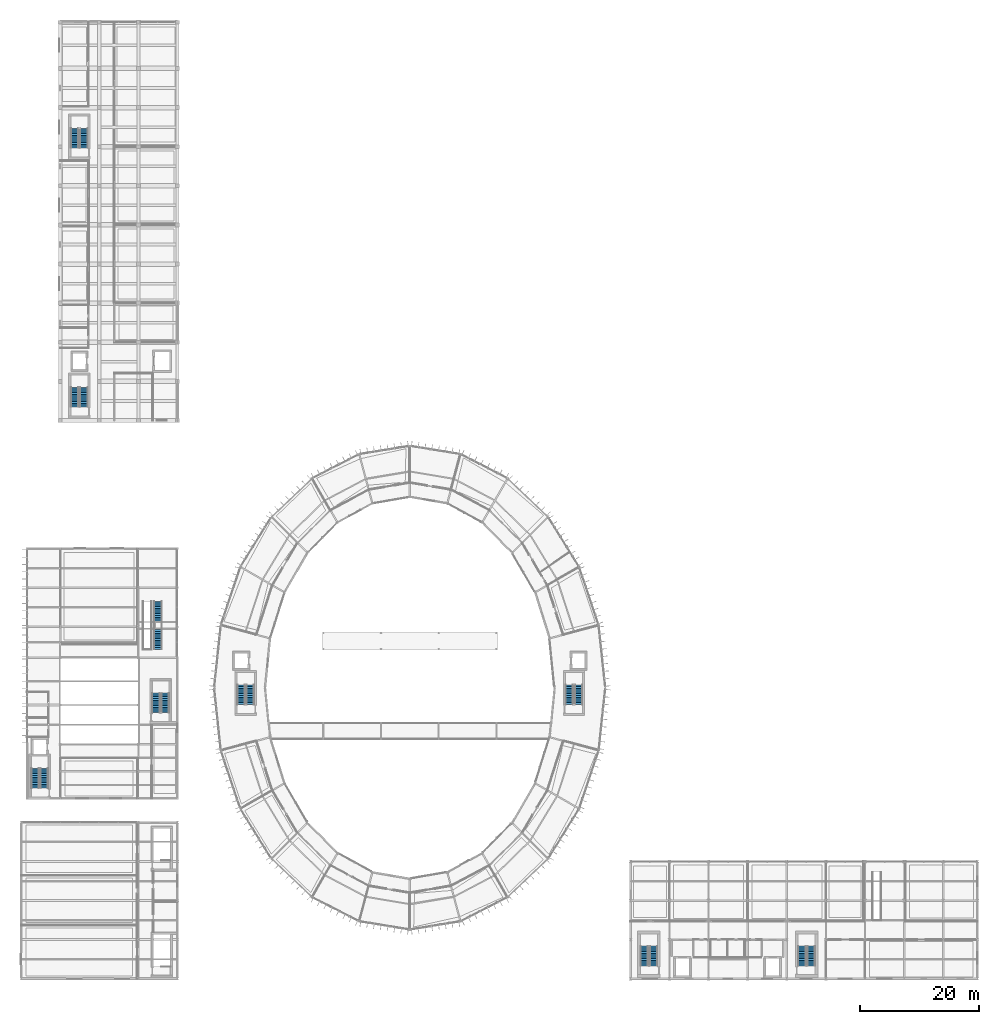
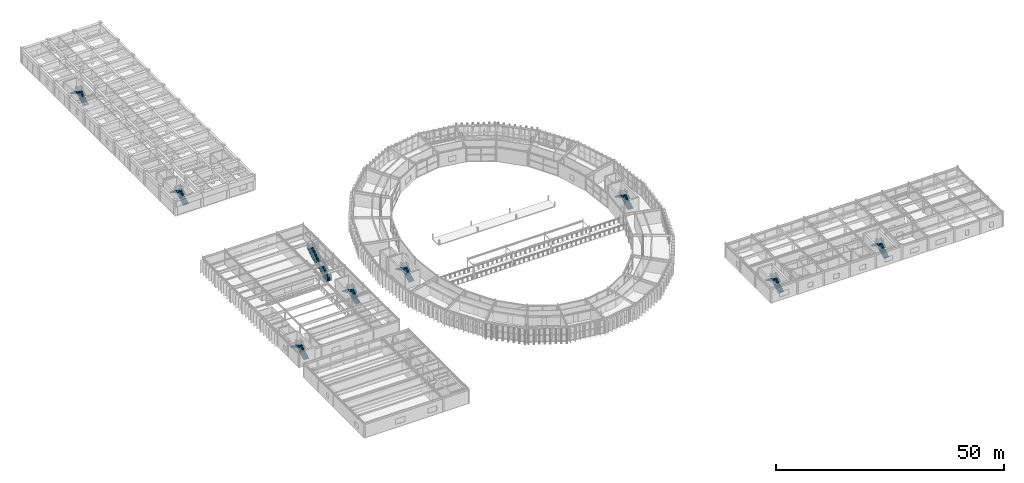
# One storey, part 132 of 147: 18 stair flights, 9 elements without a shape of their own.
"""IFC4 building model written with IfcOpenShell, lengths in metres."""

import ifcopenshell
import ifcopenshell.guid

model = None  # the IFC model being written
_history = None  # IfcOwnerHistory: only IFC2X3 demands one
_inside = {}  # id of a spatial element -> (the spatial element, [elements in it])
_under = {}  # id of a project, library or spatial element -> (it, [spatial elements below it])
_declared = {}  # id of a project -> (the project, [libraries it declares])
_typed = {}  # id of a type object -> (the type object, [elements of that type])
_made_of = {}  # id of a material, layer set ... -> (it, [elements and type objects made of it])


def new_model(schema):
    """Start an empty IFC model of exactly this schema.

    Asked for "IFC4X3", IfcOpenShell would pick the latest addendum, in which some entities
    have other attributes; the version numbers below select the first issue.
    IFC2X3 requires an IfcOwnerHistory on every rooted entity: one is made here for all.
    """
    global model, _history
    if schema == "IFC4X3":
        model = ifcopenshell.file(schema_version=(4, 3, 0, 0))
    else:
        model = ifcopenshell.file(schema=schema)
    _inside.clear()
    _under.clear()
    _declared.clear()
    _typed.clear()
    _made_of.clear()
    _history = None
    if model.schema == "IFC2X3":
        org = make("IfcOrganization", Name="unknown")
        user = make(
            "IfcPersonAndOrganization",
            ThePerson=make("IfcPerson", FamilyName="unknown"),
            TheOrganization=org,
        )
        app = make(
            "IfcApplication",
            ApplicationDeveloper=org,
            Version="unknown",
            ApplicationFullName="unknown",
            ApplicationIdentifier="unknown",
        )
        _history = make(
            "IfcOwnerHistory",
            OwningUser=user,
            OwningApplication=app,
            ChangeAction="ADDED",
            CreationDate=0,
        )
    return model


def make(cls, **values):
    """One entity of the class cls with the attributes given. An attribute that is None is left unset."""
    return model.create_entity(
        cls, **{name: value for name, value in values.items() if value is not None}
    )


def rooted(cls, **values):
    """An entity with a GlobalId (a new one), such as an element, a storey or a relation."""
    return make(cls, GlobalId=ifcopenshell.guid.new(), OwnerHistory=_history, **values)


def si_unit(unit_type, name, prefix=None):
    """IfcSIUnit, for example si_unit("LENGTHUNIT", "METRE", prefix="MILLI")."""
    return make("IfcSIUnit", UnitType=unit_type, Prefix=prefix, Name=name)


def assignment(units):
    """IfcUnitAssignment: the units of a project."""
    return None if units is None else make("IfcUnitAssignment", Units=units)


def point(xyz):
    """IfcCartesianPoint."""
    return None if xyz is None else make("IfcCartesianPoint", Coordinates=xyz)


def direction(xyz):
    """IfcDirection."""
    return None if xyz is None else make("IfcDirection", DirectionRatios=xyz)


def frame(location, z_axis=None, x_axis=None):
    """IfcAxis2Placement3D, a coordinate frame: its origin and axes. An axis left out is left unset."""
    return make(
        "IfcAxis2Placement3D",
        Location=point(location),
        Axis=direction(z_axis),
        RefDirection=direction(x_axis),
    )


def origin():
    """The frame at (0, 0, 0) with its axes left unset."""
    return frame((0.0, 0.0, 0.0))


def place(relative_to, where):
    """IfcLocalPlacement: puts the frame where relative to a parent placement (None: the world)."""
    return make(
        "IfcLocalPlacement", PlacementRelTo=relative_to, RelativePlacement=where
    )


def context(
    kind, dimensions, precision=None, world=None, true_north=None, identifier=None
):
    """IfcGeometricRepresentationContext, for example the 3D "Model" context."""
    return make(
        "IfcGeometricRepresentationContext",
        ContextIdentifier=identifier,
        ContextType=kind,
        CoordinateSpaceDimension=dimensions,
        Precision=precision,
        WorldCoordinateSystem=world,
        TrueNorth=true_north,
    )


def subcontext(parent, identifier, kind, view, scale=None):
    """IfcGeometricRepresentationSubContext, for example "Body" below "Model"."""
    return make(
        "IfcGeometricRepresentationSubContext",
        ContextIdentifier=identifier,
        ContextType=kind,
        ParentContext=parent,
        TargetScale=scale,
        TargetView=view,
    )


def project(units=None, contexts=None):
    """IfcProject with its units and contexts."""
    return rooted(
        "IfcProject",
        Name="project",
        RepresentationContexts=contexts,
        UnitsInContext=assignment(units),
    )


def spatial(cls, under=None, at=None, **own):
    """A site, building, storey or space (cls), placed at a placement, below another one or the project."""
    s = rooted(cls, ObjectPlacement=at, **own)
    if under is not None:
        _under.setdefault(under.id(), (under, []))[1].append(s)
    return s


def polyline(points):
    """IfcPolyline through the points."""
    return make("IfcPolyline", Points=[point(p) for p in points])


def outline(outer, holes=None, kind="AREA"):
    """IfcArbitraryClosedProfileDef: a profile drawn as a closed curve; with holes, ...WithVoids."""
    if holes is None:
        return make("IfcArbitraryClosedProfileDef", ProfileType=kind, OuterCurve=outer)
    return make(
        "IfcArbitraryProfileDefWithVoids",
        ProfileType=kind,
        OuterCurve=outer,
        InnerCurves=holes,
    )


def extrude(swept, where, along, depth):
    """IfcExtrudedAreaSolid: the profile swept, set in the frame where, extruded along a direction by depth."""
    return make(
        "IfcExtrudedAreaSolid",
        SweptArea=swept,
        Position=where,
        ExtrudedDirection=direction(along),
        Depth=depth,
    )


def shape(context_of_items, identifier, shape_type, items):
    """IfcShapeRepresentation: the items that make up one representation, for example the "Body"."""
    return make(
        "IfcShapeRepresentation",
        ContextOfItems=context_of_items,
        RepresentationIdentifier=identifier,
        RepresentationType=shape_type,
        Items=items,
    )


def material(Name=None, Category=None):
    """IfcMaterial."""
    return make("IfcMaterial", Name=Name, Category=Category)


def made_of(thing, what):
    """Note that an element or type object is made of a material, layer set ...; save() writes the relation."""
    if what is not None:
        _made_of.setdefault(what.id(), (what, []))[1].append(thing)
    return thing


def type_object(cls, material=None, **own):
    """A type object (cls), such as IfcWallType, which elements share."""
    return made_of(rooted(cls, **own), material)


def element(
    cls,
    number,
    at=None,
    inside=None,
    cuts=None,
    type_object=None,
    material=None,
    context=None,
    identifier="Body",
    shape_type=None,
    held_by="IfcProductDefinitionShape",
    body=None,
    shapes=None,
    **own,
):
    """One element of the class cls, such as IfcWall. Its Tag is "e" and its number.

    at: its placement. inside: the storey or other place that contains it. cuts: it is an
    opening in that element (IfcRelVoidsElement). A single representation is given by context,
    identifier, shape_type and body (its items); several are given by shapes. held_by: the class
    of the entity that holds the representations. save() writes the other relations.
    """
    e = rooted(cls, Tag="e%d" % number, ObjectPlacement=at, **own)
    if body is not None:
        shapes = [shape(context, identifier, shape_type, body)]
    if shapes is not None:
        e.Representation = make(held_by, Representations=shapes)
    if inside is not None:
        _inside.setdefault(inside.id(), (inside, []))[1].append(e)
    if cuts is not None:
        rooted(
            "IfcRelVoidsElement", RelatingBuildingElement=cuts, RelatedOpeningElement=e
        )
    if type_object is not None:
        _typed.setdefault(type_object.id(), (type_object, []))[1].append(e)
    return made_of(e, material)


def aggregate(whole, parts):
    """IfcRelAggregates: a whole, such as a stair, and the parts it consists of."""
    return rooted("IfcRelAggregates", RelatingObject=whole, RelatedObjects=parts)


def save(model, path):
    """Write the relations noted so far, then the file.

    IfcRelAggregates (storeys below a building ...), IfcRelContainedInSpatialStructure (elements
    in a storey), IfcRelDefinesByType, IfcRelAssociatesMaterial and IfcRelDeclares: one each for
    every whole, place, type object, material and project.
    """
    for whole, parts in _under.values():
        aggregate(whole, parts)
    for where, things in _inside.values():
        rooted(
            "IfcRelContainedInSpatialStructure",
            RelatedElements=things,
            RelatingStructure=where,
        )
    for kind, things in _typed.values():
        rooted("IfcRelDefinesByType", RelatedObjects=things, RelatingType=kind)
    for what, things in _made_of.values():
        rooted("IfcRelAssociatesMaterial", RelatedObjects=things, RelatingMaterial=what)
    for by, libraries in _declared.values():
        rooted("IfcRelDeclares", RelatingContext=by, RelatedDefinitions=libraries)
    model.write(path)


model = new_model("IFC4")

# Units and contexts
model_context = context("Model", 3, precision=1e-05, world=origin(), true_north=direction((0.0, 1.0)))
body_context = subcontext(model_context, "Body", "Model", "MODEL_VIEW")
ifc_project = project(units=[si_unit("LENGTHUNIT", "METRE"), si_unit("AREAUNIT", "SQUARE_METRE"), si_unit("VOLUMEUNIT", "CUBIC_METRE"), si_unit("PLANEANGLEUNIT", "RADIAN"), si_unit("MASSUNIT", "GRAM", prefix="KILO")], contexts=[model_context])

# Site, building, storey
site_placement = place(None, origin())
site = spatial("IfcSite", under=ifc_project, at=site_placement, CompositionType="ELEMENT")
building_placement = place(site_placement, origin())
building = spatial("IfcBuilding", under=site, at=building_placement, Name="Karori Crest Natural Sciences Institute", CompositionType="ELEMENT")
storey_placement = place(building_placement, frame((0.0, 0.0, 9.10009765625)))
storey = spatial("IfcBuildingStorey", under=building, at=storey_placement, Name="L02", CompositionType="ELEMENT", Elevation=9.10009765625)

# Stair, stair flights
ifc_material = material(Name="Concrete 40 MPa", Category="concrete")
stair_type_1 = type_object("IfcStairType", Name="STT-01", PredefinedType="HALF_TURN_STAIR", material=ifc_material)
stair_1_placement = place(storey_placement, origin())
stair_1 = element("IfcStair", 1, at=stair_1_placement, inside=storey, type_object=stair_type_1, Name="Protected stair ST-01-L02", PredefinedType="HALF_TURN_STAIR")
stair_flight_type = type_object("IfcStairFlightType", Name="SFT-01", PredefinedType="STRAIGHT", material=ifc_material)
stair_flight_1_placement = place(storey_placement, frame((94.875, 47.10009765625, 0.0), z_axis=(0.0, 0.0, 1.0), x_axis=(0.0, 1.0, 0.0)))
stair_flight_1 = element("IfcStairFlight", 2, at=stair_flight_1_placement, type_object=stair_flight_type, Name="ST-01-L02 flight 1", NumberOfRisers=12, NumberOfTreads=11, PredefinedType="STRAIGHT", RiserHeight=0.175, TreadLength=0.3, context=body_context, shape_type="SweptSolid", body=[
    extrude(outline(polyline([(0.0, 0.0), (0.0, 0.175048828125), (0.300048828125, 0.175048828125), (0.300048828125, 0.35009765625), (0.60009765625, 0.35009765625), (0.60009765625, 0.52490234375), (0.89990234375, 0.52490234375), (0.89990234375, 0.699951171875), (1.199951171875, 0.699951171875), (1.199951171875, 0.875), (1.5, 0.875), (1.5, 1.050048828125), (1.800048828125, 1.050048828125), (1.800048828125, 1.22509765625), (2.10009765625, 1.22509765625), (2.10009765625, 1.39990234375), (2.39990234375, 1.39990234375), (2.39990234375, 1.574951171875), (2.699951171875, 1.574951171875), (2.699951171875, 1.75), (3.0, 1.75), (3.0, 1.925048828125), (3.300048828125, 1.925048828125), (3.300048828125, 2.10009765625), (3.300048828125, 1.739990234375), (0.3173828125, 0.0), (0.0, 0.0)])), frame((0.0, 0.675048828125, 0.0), z_axis=(0.0, -1.0, 0.0), x_axis=(1.0, 0.0, 0.0)), (0.0, 0.0, 1.0), 1.35009765625),
])
stair_flight_2_placement = place(storey_placement, frame((93.324951171875, 50.39990234375, 2.099853515625), z_axis=(0.0, 0.0, 1.0), x_axis=(0.0, -1.0, 0.0)))
stair_flight_2 = element("IfcStairFlight", 3, at=stair_flight_2_placement, type_object=stair_flight_type, Name="ST-01-L02 flight 2", NumberOfRisers=12, NumberOfTreads=11, PredefinedType="STRAIGHT", RiserHeight=0.175, TreadLength=0.3, context=body_context, shape_type="SweptSolid", body=[
    extrude(outline(polyline([(0.0, 0.0), (0.0, 0.175048828125), (0.300048828125, 0.175048828125), (0.300048828125, 0.35009765625), (0.60009765625, 0.35009765625), (0.60009765625, 0.52490234375), (0.89990234375, 0.52490234375), (0.89990234375, 0.699951171875), (1.199951171875, 0.699951171875), (1.199951171875, 0.875), (1.5, 0.875), (1.5, 1.050048828125), (1.800048828125, 1.050048828125), (1.800048828125, 1.22509765625), (2.10009765625, 1.22509765625), (2.10009765625, 1.39990234375), (2.39990234375, 1.39990234375), (2.39990234375, 1.574951171875), (2.699951171875, 1.574951171875), (2.699951171875, 1.75), (3.0, 1.75), (3.0, 1.925048828125), (3.300048828125, 1.925048828125), (3.300048828125, 2.10009765625), (3.300048828125, 1.739990234375), (0.3173828125, 0.0), (0.0, 0.0)])), frame((0.0, 0.675048828125, 0.0), z_axis=(0.0, -1.0, 0.0), x_axis=(1.0, 0.0, 0.0)), (0.0, 0.0, 1.0), 1.35009765625),
])
aggregate(stair_1, [stair_flight_1, stair_flight_2])

stair_2_placement = place(storey_placement, origin())
stair_2 = element("IfcStair", 4, at=stair_2_placement, inside=storey, type_object=stair_type_1, Name="Protected stair ST-02-L02", PredefinedType="HALF_TURN_STAIR")
stair_flight_3_placement = place(storey_placement, frame((39.47509765625, 47.10009765625, 0.0), z_axis=(0.0, 0.0, 1.0), x_axis=(0.0, 1.0, 0.0)))
stair_flight_3 = element("IfcStairFlight", 5, at=stair_flight_3_placement, type_object=stair_flight_type, Name="ST-02-L02 flight 1", NumberOfRisers=12, NumberOfTreads=11, PredefinedType="STRAIGHT", RiserHeight=0.175, TreadLength=0.3, context=body_context, shape_type="SweptSolid", body=[
    extrude(outline(polyline([(0.0, 0.0), (0.0, 0.175048828125), (0.300048828125, 0.175048828125), (0.300048828125, 0.35009765625), (0.60009765625, 0.35009765625), (0.60009765625, 0.52490234375), (0.89990234375, 0.52490234375), (0.89990234375, 0.699951171875), (1.199951171875, 0.699951171875), (1.199951171875, 0.875), (1.5, 0.875), (1.5, 1.050048828125), (1.800048828125, 1.050048828125), (1.800048828125, 1.22509765625), (2.10009765625, 1.22509765625), (2.10009765625, 1.39990234375), (2.39990234375, 1.39990234375), (2.39990234375, 1.574951171875), (2.699951171875, 1.574951171875), (2.699951171875, 1.75), (3.0, 1.75), (3.0, 1.925048828125), (3.300048828125, 1.925048828125), (3.300048828125, 2.10009765625), (3.300048828125, 1.739990234375), (0.3173828125, 0.0), (0.0, 0.0)])), frame((0.0, 0.675048828125, 0.0), z_axis=(0.0, -1.0, 0.0), x_axis=(1.0, 0.0, 0.0)), (0.0, 0.0, 1.0), 1.35009765625),
])
stair_flight_4_placement = place(storey_placement, frame((37.925048828125, 50.39990234375, 2.099853515625), z_axis=(0.0, 0.0, 1.0), x_axis=(0.0, -1.0, 0.0)))
stair_flight_4 = element("IfcStairFlight", 6, at=stair_flight_4_placement, type_object=stair_flight_type, Name="ST-02-L02 flight 2", NumberOfRisers=12, NumberOfTreads=11, PredefinedType="STRAIGHT", RiserHeight=0.175, TreadLength=0.3, context=body_context, shape_type="SweptSolid", body=[
    extrude(outline(polyline([(0.0, 0.0), (0.0, 0.175048828125), (0.300048828125, 0.175048828125), (0.300048828125, 0.35009765625), (0.60009765625, 0.35009765625), (0.60009765625, 0.52490234375), (0.89990234375, 0.52490234375), (0.89990234375, 0.699951171875), (1.199951171875, 0.699951171875), (1.199951171875, 0.875), (1.5, 0.875), (1.5, 1.050048828125), (1.800048828125, 1.050048828125), (1.800048828125, 1.22509765625), (2.10009765625, 1.22509765625), (2.10009765625, 1.39990234375), (2.39990234375, 1.39990234375), (2.39990234375, 1.574951171875), (2.699951171875, 1.574951171875), (2.699951171875, 1.75), (3.0, 1.75), (3.0, 1.925048828125), (3.300048828125, 1.925048828125), (3.300048828125, 2.10009765625), (3.300048828125, 1.739990234375), (0.3173828125, 0.0), (0.0, 0.0)])), frame((0.0, 0.675048828125, 0.0), z_axis=(0.0, -1.0, 0.0), x_axis=(1.0, 0.0, 0.0)), (0.0, 0.0, 1.0), 1.35009765625),
])
aggregate(stair_2, [stair_flight_3, stair_flight_4])

stair_3_placement = place(storey_placement, origin())
stair_3 = element("IfcStair", 7, at=stair_3_placement, inside=storey, type_object=stair_type_1, Name="Protected stair ST-03-L02", PredefinedType="HALF_TURN_STAIR")
stair_flight_5_placement = place(storey_placement, frame((107.52490234375, 3.0, 0.0), z_axis=(0.0, 0.0, 1.0), x_axis=(0.0, 1.0, 0.0)))
stair_flight_5 = element("IfcStairFlight", 8, at=stair_flight_5_placement, type_object=stair_flight_type, Name="ST-03-L02 flight 1", NumberOfRisers=12, NumberOfTreads=11, PredefinedType="STRAIGHT", RiserHeight=0.175, TreadLength=0.3, context=body_context, shape_type="SweptSolid", body=[
    extrude(outline(polyline([(0.0, 0.0), (0.0, 0.175048828125), (0.300048828125, 0.175048828125), (0.300048828125, 0.35009765625), (0.60009765625, 0.35009765625), (0.60009765625, 0.52490234375), (0.89990234375, 0.52490234375), (0.89990234375, 0.699951171875), (1.199951171875, 0.699951171875), (1.199951171875, 0.875), (1.5, 0.875), (1.5, 1.050048828125), (1.800048828125, 1.050048828125), (1.800048828125, 1.22509765625), (2.10009765625, 1.22509765625), (2.10009765625, 1.39990234375), (2.39990234375, 1.39990234375), (2.39990234375, 1.574951171875), (2.699951171875, 1.574951171875), (2.699951171875, 1.75), (3.0, 1.75), (3.0, 1.925048828125), (3.300048828125, 1.925048828125), (3.300048828125, 2.10009765625), (3.300048828125, 1.739990234375), (0.3173828125, 0.0), (0.0, 0.0)])), frame((0.0, 0.675048828125, 0.0), z_axis=(0.0, -1.0, 0.0), x_axis=(1.0, 0.0, 0.0)), (0.0, 0.0, 1.0), 1.35009765625),
])
stair_flight_6_placement = place(storey_placement, frame((105.97509765625, 6.300048828125, 2.099853515625), z_axis=(0.0, 0.0, 1.0), x_axis=(0.0, -1.0, 0.0)))
stair_flight_6 = element("IfcStairFlight", 9, at=stair_flight_6_placement, type_object=stair_flight_type, Name="ST-03-L02 flight 2", NumberOfRisers=12, NumberOfTreads=11, PredefinedType="STRAIGHT", RiserHeight=0.175, TreadLength=0.3, context=body_context, shape_type="SweptSolid", body=[
    extrude(outline(polyline([(0.0, 0.0), (0.0, 0.175048828125), (0.300048828125, 0.175048828125), (0.300048828125, 0.35009765625), (0.60009765625, 0.35009765625), (0.60009765625, 0.52490234375), (0.89990234375, 0.52490234375), (0.89990234375, 0.699951171875), (1.199951171875, 0.699951171875), (1.199951171875, 0.875), (1.5, 0.875), (1.5, 1.050048828125), (1.800048828125, 1.050048828125), (1.800048828125, 1.22509765625), (2.10009765625, 1.22509765625), (2.10009765625, 1.39990234375), (2.39990234375, 1.39990234375), (2.39990234375, 1.574951171875), (2.699951171875, 1.574951171875), (2.699951171875, 1.75), (3.0, 1.75), (3.0, 1.925048828125), (3.300048828125, 1.925048828125), (3.300048828125, 2.10009765625), (3.300048828125, 1.739990234375), (0.3173828125, 0.0), (0.0, 0.0)])), frame((0.0, 0.675048828125, 0.0), z_axis=(0.0, -1.0, 0.0), x_axis=(1.0, 0.0, 0.0)), (0.0, 0.0, 1.0), 1.35009765625),
])
aggregate(stair_3, [stair_flight_5, stair_flight_6])

stair_4_placement = place(storey_placement, origin())
stair_4 = element("IfcStair", 10, at=stair_4_placement, inside=storey, type_object=stair_type_1, Name="Protected stair ST-04-L02", PredefinedType="HALF_TURN_STAIR")
stair_flight_7_placement = place(storey_placement, frame((134.125, 3.0, 0.0), z_axis=(0.0, 0.0, 1.0), x_axis=(0.0, 1.0, 0.0)))
stair_flight_7 = element("IfcStairFlight", 11, at=stair_flight_7_placement, type_object=stair_flight_type, Name="ST-04-L02 flight 1", NumberOfRisers=12, NumberOfTreads=11, PredefinedType="STRAIGHT", RiserHeight=0.175, TreadLength=0.3, context=body_context, shape_type="SweptSolid", body=[
    extrude(outline(polyline([(0.0, 0.0), (0.0, 0.175048828125), (0.300048828125, 0.175048828125), (0.300048828125, 0.35009765625), (0.60009765625, 0.35009765625), (0.60009765625, 0.52490234375), (0.89990234375, 0.52490234375), (0.89990234375, 0.699951171875), (1.199951171875, 0.699951171875), (1.199951171875, 0.875), (1.5, 0.875), (1.5, 1.050048828125), (1.800048828125, 1.050048828125), (1.800048828125, 1.22509765625), (2.10009765625, 1.22509765625), (2.10009765625, 1.39990234375), (2.39990234375, 1.39990234375), (2.39990234375, 1.574951171875), (2.699951171875, 1.574951171875), (2.699951171875, 1.75), (3.0, 1.75), (3.0, 1.925048828125), (3.300048828125, 1.925048828125), (3.300048828125, 2.10009765625), (3.300048828125, 1.739990234375), (0.3173828125, 0.0), (0.0, 0.0)])), frame((0.0, 0.675048828125, 0.0), z_axis=(0.0, -1.0, 0.0), x_axis=(1.0, 0.0, 0.0)), (0.0, 0.0, 1.0), 1.35009765625),
])
stair_flight_8_placement = place(storey_placement, frame((132.574951171875, 6.300048828125, 2.099853515625), z_axis=(0.0, 0.0, 1.0), x_axis=(0.0, -1.0, 0.0)))
stair_flight_8 = element("IfcStairFlight", 12, at=stair_flight_8_placement, type_object=stair_flight_type, Name="ST-04-L02 flight 2", NumberOfRisers=12, NumberOfTreads=11, PredefinedType="STRAIGHT", RiserHeight=0.175, TreadLength=0.3, context=body_context, shape_type="SweptSolid", body=[
    extrude(outline(polyline([(0.0, 0.0), (0.0, 0.175048828125), (0.300048828125, 0.175048828125), (0.300048828125, 0.35009765625), (0.60009765625, 0.35009765625), (0.60009765625, 0.52490234375), (0.89990234375, 0.52490234375), (0.89990234375, 0.699951171875), (1.199951171875, 0.699951171875), (1.199951171875, 0.875), (1.5, 0.875), (1.5, 1.050048828125), (1.800048828125, 1.050048828125), (1.800048828125, 1.22509765625), (2.10009765625, 1.22509765625), (2.10009765625, 1.39990234375), (2.39990234375, 1.39990234375), (2.39990234375, 1.574951171875), (2.699951171875, 1.574951171875), (2.699951171875, 1.75), (3.0, 1.75), (3.0, 1.925048828125), (3.300048828125, 1.925048828125), (3.300048828125, 2.10009765625), (3.300048828125, 1.739990234375), (0.3173828125, 0.0), (0.0, 0.0)])), frame((0.0, 0.675048828125, 0.0), z_axis=(0.0, -1.0, 0.0), x_axis=(1.0, 0.0, 0.0)), (0.0, 0.0, 1.0), 1.35009765625),
])
aggregate(stair_4, [stair_flight_7, stair_flight_8])

stair_5_placement = place(storey_placement, origin())
stair_5 = element("IfcStair", 13, at=stair_5_placement, inside=storey, type_object=stair_type_1, Name="Protected stair ST-05-L02", PredefinedType="HALF_TURN_STAIR")
stair_flight_9_placement = place(storey_placement, frame((11.425048828125, 97.300048828125, 0.0), z_axis=(0.0, 0.0, 1.0), x_axis=(0.0, 1.0, 0.0)))
stair_flight_9 = element("IfcStairFlight", 14, at=stair_flight_9_placement, type_object=stair_flight_type, Name="ST-05-L02 flight 1", NumberOfRisers=12, NumberOfTreads=11, PredefinedType="STRAIGHT", RiserHeight=0.175, TreadLength=0.3, context=body_context, shape_type="SweptSolid", body=[
    extrude(outline(polyline([(0.0, 0.0), (0.0, 0.175048828125), (0.300048828125, 0.175048828125), (0.300048828125, 0.35009765625), (0.60009765625, 0.35009765625), (0.60009765625, 0.52490234375), (0.89990234375, 0.52490234375), (0.89990234375, 0.699951171875), (1.199951171875, 0.699951171875), (1.199951171875, 0.875), (1.5, 0.875), (1.5, 1.050048828125), (1.800048828125, 1.050048828125), (1.800048828125, 1.22509765625), (2.10009765625, 1.22509765625), (2.10009765625, 1.39990234375), (2.39990234375, 1.39990234375), (2.39990234375, 1.574951171875), (2.699951171875, 1.574951171875), (2.699951171875, 1.75), (3.0, 1.75), (3.0, 1.925048828125), (3.300048828125, 1.925048828125), (3.300048828125, 2.10009765625), (3.300048828125, 1.739990234375), (0.3173828125, 0.0), (0.0, 0.0)])), frame((0.0, 0.675048828125, 0.0), z_axis=(0.0, -1.0, 0.0), x_axis=(1.0, 0.0, 0.0)), (0.0, 0.0, 1.0), 1.35009765625),
])
stair_flight_10_placement = place(storey_placement, frame((9.875, 100.60009765625, 2.099853515625), z_axis=(0.0, 0.0, 1.0), x_axis=(0.0, -1.0, 0.0)))
stair_flight_10 = element("IfcStairFlight", 15, at=stair_flight_10_placement, type_object=stair_flight_type, Name="ST-05-L02 flight 2", NumberOfRisers=12, NumberOfTreads=11, PredefinedType="STRAIGHT", RiserHeight=0.175, TreadLength=0.3, context=body_context, shape_type="SweptSolid", body=[
    extrude(outline(polyline([(0.0, 0.0), (0.0, 0.175048828125), (0.300048828125, 0.175048828125), (0.300048828125, 0.35009765625), (0.60009765625, 0.35009765625), (0.60009765625, 0.52490234375), (0.89990234375, 0.52490234375), (0.89990234375, 0.699951171875), (1.199951171875, 0.699951171875), (1.199951171875, 0.875), (1.5, 0.875), (1.5, 1.050048828125), (1.800048828125, 1.050048828125), (1.800048828125, 1.22509765625), (2.10009765625, 1.22509765625), (2.10009765625, 1.39990234375), (2.39990234375, 1.39990234375), (2.39990234375, 1.574951171875), (2.699951171875, 1.574951171875), (2.699951171875, 1.75), (3.0, 1.75), (3.0, 1.925048828125), (3.300048828125, 1.925048828125), (3.300048828125, 2.10009765625), (3.300048828125, 1.739990234375), (0.3173828125, 0.0), (0.0, 0.0)])), frame((0.0, 0.675048828125, 0.0), z_axis=(0.0, -1.0, 0.0), x_axis=(1.0, 0.0, 0.0)), (0.0, 0.0, 1.0), 1.35009765625),
])
aggregate(stair_5, [stair_flight_9, stair_flight_10])

stair_6_placement = place(storey_placement, origin())
stair_6 = element("IfcStair", 16, at=stair_6_placement, inside=storey, type_object=stair_type_1, Name="Protected stair ST-06-L02", PredefinedType="HALF_TURN_STAIR")
stair_flight_11_placement = place(storey_placement, frame((11.425048828125, 141.0, 0.0), z_axis=(0.0, 0.0, 1.0), x_axis=(0.0, 1.0, 0.0)))
stair_flight_11 = element("IfcStairFlight", 17, at=stair_flight_11_placement, type_object=stair_flight_type, Name="ST-06-L02 flight 1", NumberOfRisers=12, NumberOfTreads=11, PredefinedType="STRAIGHT", RiserHeight=0.175, TreadLength=0.3, context=body_context, shape_type="SweptSolid", body=[
    extrude(outline(polyline([(0.0, 0.0), (0.0, 0.175048828125), (0.300048828125, 0.175048828125), (0.300048828125, 0.35009765625), (0.60009765625, 0.35009765625), (0.60009765625, 0.52490234375), (0.89990234375, 0.52490234375), (0.89990234375, 0.699951171875), (1.199951171875, 0.699951171875), (1.199951171875, 0.875), (1.5, 0.875), (1.5, 1.050048828125), (1.800048828125, 1.050048828125), (1.800048828125, 1.22509765625), (2.10009765625, 1.22509765625), (2.10009765625, 1.39990234375), (2.39990234375, 1.39990234375), (2.39990234375, 1.574951171875), (2.699951171875, 1.574951171875), (2.699951171875, 1.75), (3.0, 1.75), (3.0, 1.925048828125), (3.300048828125, 1.925048828125), (3.300048828125, 2.10009765625), (3.300048828125, 1.739990234375), (0.3173828125, 0.0), (0.0, 0.0)])), frame((0.0, 0.675048828125, 0.0), z_axis=(0.0, -1.0, 0.0), x_axis=(1.0, 0.0, 0.0)), (0.0, 0.0, 1.0), 1.35009765625),
])
stair_flight_12_placement = place(storey_placement, frame((9.875, 144.300048828125, 2.099853515625), z_axis=(0.0, 0.0, 1.0), x_axis=(0.0, -1.0, 0.0)))
stair_flight_12 = element("IfcStairFlight", 18, at=stair_flight_12_placement, type_object=stair_flight_type, Name="ST-06-L02 flight 2", NumberOfRisers=12, NumberOfTreads=11, PredefinedType="STRAIGHT", RiserHeight=0.175, TreadLength=0.3, context=body_context, shape_type="SweptSolid", body=[
    extrude(outline(polyline([(0.0, 0.0), (0.0, 0.175048828125), (0.300048828125, 0.175048828125), (0.300048828125, 0.35009765625), (0.60009765625, 0.35009765625), (0.60009765625, 0.52490234375), (0.89990234375, 0.52490234375), (0.89990234375, 0.699951171875), (1.199951171875, 0.699951171875), (1.199951171875, 0.875), (1.5, 0.875), (1.5, 1.050048828125), (1.800048828125, 1.050048828125), (1.800048828125, 1.22509765625), (2.10009765625, 1.22509765625), (2.10009765625, 1.39990234375), (2.39990234375, 1.39990234375), (2.39990234375, 1.574951171875), (2.699951171875, 1.574951171875), (2.699951171875, 1.75), (3.0, 1.75), (3.0, 1.925048828125), (3.300048828125, 1.925048828125), (3.300048828125, 2.10009765625), (3.300048828125, 1.739990234375), (0.3173828125, 0.0), (0.0, 0.0)])), frame((0.0, 0.675048828125, 0.0), z_axis=(0.0, -1.0, 0.0), x_axis=(1.0, 0.0, 0.0)), (0.0, 0.0, 1.0), 1.35009765625),
])
aggregate(stair_6, [stair_flight_11, stair_flight_12])

stair_7_placement = place(storey_placement, origin())
stair_7 = element("IfcStair", 19, at=stair_7_placement, inside=storey, type_object=stair_type_1, Name="Protected stair ST-07-L02", PredefinedType="HALF_TURN_STAIR")
stair_flight_13_placement = place(storey_placement, frame((4.72509765625, 33.0, 0.0), z_axis=(0.0, 0.0, 1.0), x_axis=(0.0, 1.0, 0.0)))
stair_flight_13 = element("IfcStairFlight", 20, at=stair_flight_13_placement, type_object=stair_flight_type, Name="ST-07-L02 flight 1", NumberOfRisers=12, NumberOfTreads=11, PredefinedType="STRAIGHT", RiserHeight=0.175, TreadLength=0.3, context=body_context, shape_type="SweptSolid", body=[
    extrude(outline(polyline([(0.0, 0.0), (0.0, 0.175048828125), (0.300048828125, 0.175048828125), (0.300048828125, 0.35009765625), (0.60009765625, 0.35009765625), (0.60009765625, 0.52490234375), (0.89990234375, 0.52490234375), (0.89990234375, 0.699951171875), (1.199951171875, 0.699951171875), (1.199951171875, 0.875), (1.5, 0.875), (1.5, 1.050048828125), (1.800048828125, 1.050048828125), (1.800048828125, 1.22509765625), (2.10009765625, 1.22509765625), (2.10009765625, 1.39990234375), (2.39990234375, 1.39990234375), (2.39990234375, 1.574951171875), (2.699951171875, 1.574951171875), (2.699951171875, 1.75), (3.0, 1.75), (3.0, 1.925048828125), (3.300048828125, 1.925048828125), (3.300048828125, 2.10009765625), (3.300048828125, 1.739990234375), (0.3173828125, 0.0), (0.0, 0.0)])), frame((0.0, 0.675048828125, 0.0), z_axis=(0.0, -1.0, 0.0), x_axis=(1.0, 0.0, 0.0)), (0.0, 0.0, 1.0), 1.35009765625),
])
stair_flight_14_placement = place(storey_placement, frame((3.175048828125, 36.300048828125, 2.099853515625), z_axis=(0.0, 0.0, 1.0), x_axis=(0.0, -1.0, 0.0)))
stair_flight_14 = element("IfcStairFlight", 21, at=stair_flight_14_placement, type_object=stair_flight_type, Name="ST-07-L02 flight 2", NumberOfRisers=12, NumberOfTreads=11, PredefinedType="STRAIGHT", RiserHeight=0.175, TreadLength=0.3, context=body_context, shape_type="SweptSolid", body=[
    extrude(outline(polyline([(0.0, 0.0), (0.0, 0.175048828125), (0.300048828125, 0.175048828125), (0.300048828125, 0.35009765625), (0.60009765625, 0.35009765625), (0.60009765625, 0.52490234375), (0.89990234375, 0.52490234375), (0.89990234375, 0.699951171875), (1.199951171875, 0.699951171875), (1.199951171875, 0.875), (1.5, 0.875), (1.5, 1.050048828125), (1.800048828125, 1.050048828125), (1.800048828125, 1.22509765625), (2.10009765625, 1.22509765625), (2.10009765625, 1.39990234375), (2.39990234375, 1.39990234375), (2.39990234375, 1.574951171875), (2.699951171875, 1.574951171875), (2.699951171875, 1.75), (3.0, 1.75), (3.0, 1.925048828125), (3.300048828125, 1.925048828125), (3.300048828125, 2.10009765625), (3.300048828125, 1.739990234375), (0.3173828125, 0.0), (0.0, 0.0)])), frame((0.0, 0.675048828125, 0.0), z_axis=(0.0, -1.0, 0.0), x_axis=(1.0, 0.0, 0.0)), (0.0, 0.0, 1.0), 1.35009765625),
])
aggregate(stair_7, [stair_flight_13, stair_flight_14])

stair_8_placement = place(storey_placement, origin())
stair_8 = element("IfcStair", 22, at=stair_8_placement, inside=storey, type_object=stair_type_1, Name="Protected stair ST-08-L02", PredefinedType="HALF_TURN_STAIR")
stair_flight_15_placement = place(storey_placement, frame((25.125, 45.699951171875, 0.0), z_axis=(0.0, 0.0, 1.0), x_axis=(0.0, 1.0, 0.0)))
stair_flight_15 = element("IfcStairFlight", 23, at=stair_flight_15_placement, type_object=stair_flight_type, Name="ST-08-L02 flight 1", NumberOfRisers=12, NumberOfTreads=11, PredefinedType="STRAIGHT", RiserHeight=0.175, TreadLength=0.3, context=body_context, shape_type="SweptSolid", body=[
    extrude(outline(polyline([(0.0, 0.0), (0.0, 0.175048828125), (0.300048828125, 0.175048828125), (0.300048828125, 0.35009765625), (0.60009765625, 0.35009765625), (0.60009765625, 0.52490234375), (0.89990234375, 0.52490234375), (0.89990234375, 0.699951171875), (1.199951171875, 0.699951171875), (1.199951171875, 0.875), (1.5, 0.875), (1.5, 1.050048828125), (1.800048828125, 1.050048828125), (1.800048828125, 1.22509765625), (2.10009765625, 1.22509765625), (2.10009765625, 1.39990234375), (2.39990234375, 1.39990234375), (2.39990234375, 1.574951171875), (2.699951171875, 1.574951171875), (2.699951171875, 1.75), (3.0, 1.75), (3.0, 1.925048828125), (3.300048828125, 1.925048828125), (3.300048828125, 2.10009765625), (3.300048828125, 1.739990234375), (0.3173828125, 0.0), (0.0, 0.0)])), frame((0.0, 0.675048828125, 0.0), z_axis=(0.0, -1.0, 0.0), x_axis=(1.0, 0.0, 0.0)), (0.0, 0.0, 1.0), 1.35009765625),
])
stair_flight_16_placement = place(storey_placement, frame((23.574951171875, 49.0, 2.099853515625), z_axis=(0.0, 0.0, 1.0), x_axis=(0.0, -1.0, 0.0)))
stair_flight_16 = element("IfcStairFlight", 24, at=stair_flight_16_placement, type_object=stair_flight_type, Name="ST-08-L02 flight 2", NumberOfRisers=12, NumberOfTreads=11, PredefinedType="STRAIGHT", RiserHeight=0.175, TreadLength=0.3, context=body_context, shape_type="SweptSolid", body=[
    extrude(outline(polyline([(0.0, 0.0), (0.0, 0.175048828125), (0.300048828125, 0.175048828125), (0.300048828125, 0.35009765625), (0.60009765625, 0.35009765625), (0.60009765625, 0.52490234375), (0.89990234375, 0.52490234375), (0.89990234375, 0.699951171875), (1.199951171875, 0.699951171875), (1.199951171875, 0.875), (1.5, 0.875), (1.5, 1.050048828125), (1.800048828125, 1.050048828125), (1.800048828125, 1.22509765625), (2.10009765625, 1.22509765625), (2.10009765625, 1.39990234375), (2.39990234375, 1.39990234375), (2.39990234375, 1.574951171875), (2.699951171875, 1.574951171875), (2.699951171875, 1.75), (3.0, 1.75), (3.0, 1.925048828125), (3.300048828125, 1.925048828125), (3.300048828125, 2.10009765625), (3.300048828125, 1.739990234375), (0.3173828125, 0.0), (0.0, 0.0)])), frame((0.0, 0.675048828125, 0.0), z_axis=(0.0, -1.0, 0.0), x_axis=(1.0, 0.0, 0.0)), (0.0, 0.0, 1.0), 1.35009765625),
])
aggregate(stair_8, [stair_flight_15, stair_flight_16])

stair_type_2 = type_object("IfcStairType", Name="STT-05", PredefinedType="STRAIGHT_RUN_STAIR", material=ifc_material)
stair_9_placement = place(storey_placement, origin())
stair_9 = element("IfcStair", 25, at=stair_9_placement, inside=storey, type_object=stair_type_2, Name="Feature straight stair ST-13", PredefinedType="STRAIGHT_RUN_STAIR")
stair_flight_17_placement = place(storey_placement, frame((23.89990234375, 56.39990234375, 0.0), z_axis=(0.0, 0.0, 1.0), x_axis=(0.0, 1.0, 0.0)))
stair_flight_17 = element("IfcStairFlight", 26, at=stair_flight_17_placement, type_object=stair_flight_type, Name="ST-13 flight 1", NumberOfRisers=12, NumberOfTreads=11, PredefinedType="STRAIGHT", RiserHeight=0.175, TreadLength=0.3, context=body_context, shape_type="SweptSolid", body=[
    extrude(outline(polyline([(0.0, 0.0), (0.0, 0.175048828125), (0.300048828125, 0.175048828125), (0.300048828125, 0.35009765625), (0.60009765625, 0.35009765625), (0.60009765625, 0.52490234375), (0.89990234375, 0.52490234375), (0.89990234375, 0.699951171875), (1.199951171875, 0.699951171875), (1.199951171875, 0.875), (1.5, 0.875), (1.5, 1.050048828125), (1.800048828125, 1.050048828125), (1.800048828125, 1.22509765625), (2.10009765625, 1.22509765625), (2.10009765625, 1.39990234375), (2.39990234375, 1.39990234375), (2.39990234375, 1.574951171875), (2.699951171875, 1.574951171875), (2.699951171875, 1.75), (3.0, 1.75), (3.0, 1.925048828125), (3.300048828125, 1.925048828125), (3.300048828125, 2.10009765625), (3.300048828125, 1.739990234375), (0.3173828125, 0.0), (0.0, 0.0)])), frame((0.0, 0.675048828125, 0.0), z_axis=(0.0, -1.0, 0.0), x_axis=(1.0, 0.0, 0.0)), (0.0, 0.0, 1.0), 1.35009765625),
])
stair_flight_18_placement = place(storey_placement, frame((23.89990234375, 61.199951171875, 2.099853515625), z_axis=(0.0, 0.0, 1.0), x_axis=(0.0, 1.0, 0.0)))
stair_flight_18 = element("IfcStairFlight", 27, at=stair_flight_18_placement, type_object=stair_flight_type, Name="ST-13 flight 2", NumberOfRisers=12, NumberOfTreads=11, PredefinedType="STRAIGHT", RiserHeight=0.175, TreadLength=0.3, context=body_context, shape_type="SweptSolid", body=[
    extrude(outline(polyline([(0.0, 0.0), (0.0, 0.175048828125), (0.300048828125, 0.175048828125), (0.300048828125, 0.35009765625), (0.60009765625, 0.35009765625), (0.60009765625, 0.52490234375), (0.89990234375, 0.52490234375), (0.89990234375, 0.699951171875), (1.199951171875, 0.699951171875), (1.199951171875, 0.875), (1.5, 0.875), (1.5, 1.050048828125), (1.800048828125, 1.050048828125), (1.800048828125, 1.22509765625), (2.10009765625, 1.22509765625), (2.10009765625, 1.39990234375), (2.39990234375, 1.39990234375), (2.39990234375, 1.574951171875), (2.699951171875, 1.574951171875), (2.699951171875, 1.75), (3.0, 1.75), (3.0, 1.925048828125), (3.300048828125, 1.925048828125), (3.300048828125, 2.10009765625), (3.300048828125, 1.739990234375), (0.3173828125, 0.0), (0.0, 0.0)])), frame((0.0, 0.675048828125, 0.0), z_axis=(0.0, -1.0, 0.0), x_axis=(1.0, 0.0, 0.0)), (0.0, 0.0, 1.0), 1.35009765625),
])
aggregate(stair_9, [stair_flight_17, stair_flight_18])

save(model, "model.ifc")
